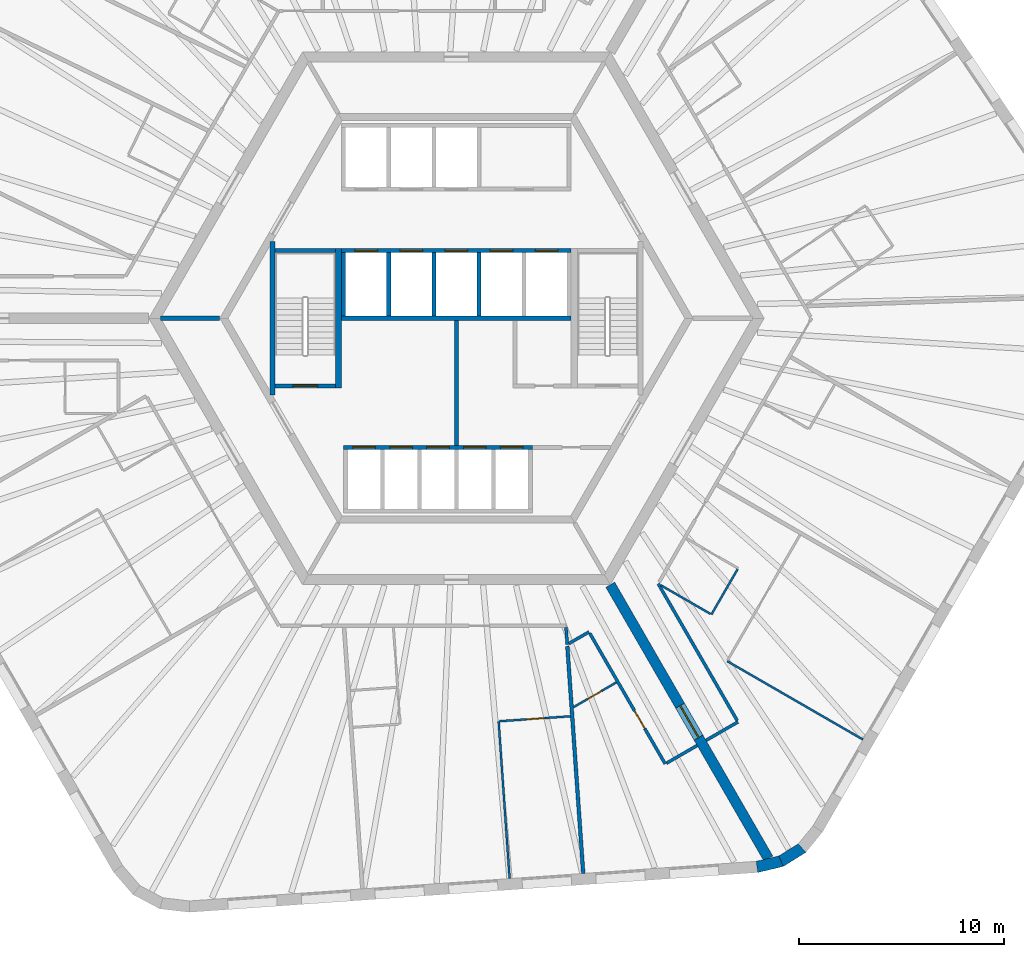
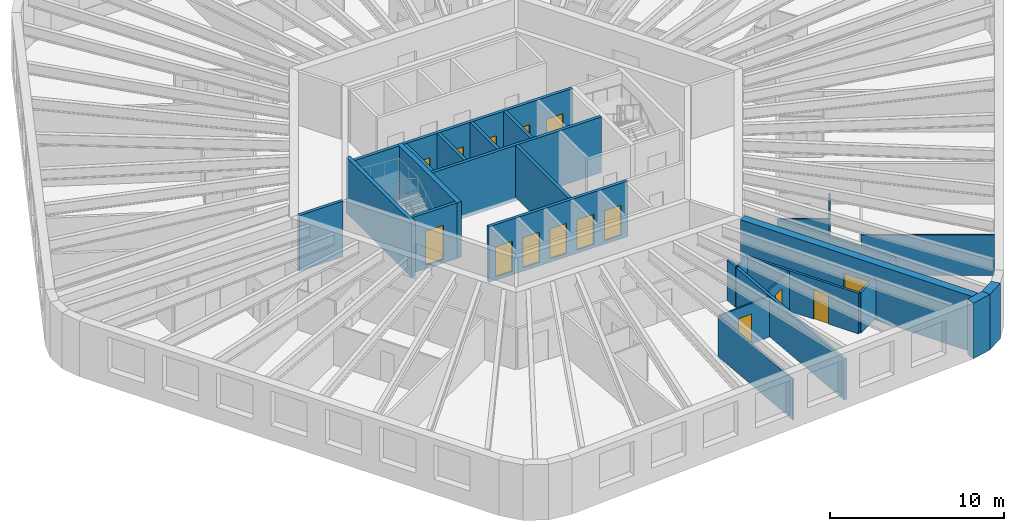
# One storey, part 4 of 10: 29 walls, 15 doors, 15 openings.
"""IFC4 building model written with IfcOpenShell, lengths in metres."""

from ifc_helpers import new_model, si_unit, direction, frame, frame_2d, origin, place, context, subcontext, project, spatial, polyline, rectangle, outline, extrude, material, layer, layer_set, type_object, element, fill, save


model = new_model("IFC4")

# Units and contexts
model_context = context("Model", 3, precision=1e-05, world=origin(), true_north=direction((0.0, 1.0)))
body_context = subcontext(model_context, "Body", "Model", "MODEL_VIEW")
ifc_project = project(units=[si_unit("LENGTHUNIT", "METRE"), si_unit("AREAUNIT", "SQUARE_METRE"), si_unit("VOLUMEUNIT", "CUBIC_METRE"), si_unit("PLANEANGLEUNIT", "RADIAN"), si_unit("MASSUNIT", "GRAM", prefix="KILO")], contexts=[model_context])

# Site, building, storey
site_placement = place(None, origin())
site = spatial("IfcSite", under=ifc_project, at=site_placement, CompositionType="ELEMENT")
building_placement = place(site_placement, origin())
building = spatial("IfcBuilding", under=site, at=building_placement, Name="Tarnside Tower", CompositionType="ELEMENT")
storey_placement = place(building_placement, frame((0.0, 0.0, 242.39990234375)))
storey = spatial("IfcBuildingStorey", under=building, at=storey_placement, Name="L58", CompositionType="ELEMENT", Elevation=242.39990234375)

# Wall, opening, door
ifc_material_1 = material(Name="Gypsum board partition on steel studs", Category="steel")
ifc_layer_1 = layer(ifc_material_1, 0.10009765625)
ifc_layer_set_1 = layer_set([ifc_layer_1], Name="Bathroom wall 100")
wall_type_1 = type_object("IfcWallType", Name="Bathroom wall 100", PredefinedType="PARTITIONING", material=ifc_layer_set_1)
wall_1_placement = place(storey_placement, frame((7.80322265625, -17.765380859375, 0.0), z_axis=(0.0, 0.0, 1.0), x_axis=(-0.865997239347, -0.500048779063, 0.0)))
wall_1 = element("IfcWall", 1, at=wall_1_placement, inside=storey, type_object=wall_type_1, Name="Bathroom wall 19097", PredefinedType="PARTITIONING", context=body_context, shape_type="SweptSolid", body=[
    extrude(rectangle(XDim=2.417724609375, YDim=0.10009765625, at=frame_2d((1.208984375, 0.0))), origin(), (0.0, 0.0, 1.0), 2.837890625),
])
opening_1_placement = place(wall_1_placement, frame((0.824951171875, 0.0, 0.0)))
opening_1 = element("IfcOpeningElement", 2, at=opening_1_placement, cuts=wall_1, Name="Opening D-B1", PredefinedType="OPENING", context=body_context, shape_type="SweptSolid", body=[
    extrude(rectangle(XDim=0.800048828125, YDim=2.10009765625, at=frame_2d((0.39990234375, 1.050048828125))), frame((0.0, 0.06005859375, 0.0), z_axis=(0.0, -1.0, 0.0), x_axis=(1.0, 0.0, 0.0)), (0.0, 0.0, 1.0), 0.1201171875),
])
ifc_material_2 = material(Name="Timber door leaf", Category="wood")
door_type_1 = type_object("IfcDoorType", Name="Bathroom door 800", OperationType="NOTDEFINED", PredefinedType="DOOR", material=ifc_material_2)
door_1_placement = place(opening_1_placement, origin())
door_1 = element("IfcDoor", 3, at=door_1_placement, inside=storey, type_object=door_type_1, Name="Bathroom door 19025", OperationType="SINGLE_SWING_LEFT", OverallHeight=2.10009765625, OverallWidth=0.800048828125, PredefinedType="DOOR", context=body_context, shape_type="SweptSolid", body=[
    extrude(rectangle(XDim=0.800048828125, YDim=2.10009765625, at=frame_2d((0.39990234375, 1.050048828125))), frame((0.0, 0.02490234375, 0.0), z_axis=(0.0, -1.0, 0.0), x_axis=(1.0, 0.0, 0.0)), (0.0, 0.0, 1.0), 0.050048828125),
])
fill(opening_1, door_1)

# Walls
wall_2_placement = place(storey_placement, frame((13.716796875, -12.24169921875, 0.0), z_axis=(0.0, 0.0, 1.0), x_axis=(-0.499990435942, -0.866030925526, 0.0)))
element("IfcWall", 4, at=wall_2_placement, inside=storey, type_object=wall_type_1, Name="Bathroom wall 19099", PredefinedType="PARTITIONING", context=body_context, shape_type="SweptSolid", body=[
    extrude(rectangle(XDim=2.5498046875, YDim=0.10009765625, at=frame_2d((1.27490234375, 0.0))), origin(), (0.0, 0.0, 1.0), 2.837890625),
])
wall_3_placement = place(storey_placement, frame((12.398681640625, -14.425048828125, 0.0), z_axis=(0.0, 0.0, 1.0), x_axis=(-0.866018616679, 0.500011755427, 0.0)))
element("IfcWall", 5, at=wall_3_placement, inside=storey, type_object=wall_type_1, Name="Bathroom wall 19100", PredefinedType="PARTITIONING", context=body_context, shape_type="SweptSolid", body=[
    extrude(rectangle(XDim=2.80029296875, YDim=0.10009765625, at=frame_2d((1.400146484375, 0.0))), origin(), (0.0, 0.0, 1.0), 2.837890625),
])
ifc_material_3 = material(Name="Concrete C40/50", Category="concrete")
ifc_layer_2 = layer(ifc_material_3, 0.199951171875)
ifc_layer_set_2 = layer_set([ifc_layer_2], Name="Core room partition 200 C40/50")
wall_type_2 = type_object("IfcWallType", Name="Core room partition 200 C40/50", PredefinedType="PARTITIONING", material=ifc_layer_set_2)
wall_4_placement = place(storey_placement, frame((0.0, -6.199951171875, 0.0), z_axis=(0.0, 0.0, 1.0), x_axis=(0.0, 1.0, 0.0)))
element("IfcWall", 6, at=wall_4_placement, inside=storey, type_object=wall_type_2, Name="L58 core partition X0", PredefinedType="PARTITIONING", context=body_context, shape_type="SweptSolid", body=[
    extrude(rectangle(XDim=6.099853515625, YDim=0.199951171875, at=frame_2d((3.0498046875, 0.0))), origin(), (0.0, 0.0, 1.0), 3.650146484375),
])

# Wall, opening, door
ifc_material_4 = material(Name="Concrete C70/85", Category="concrete")
ifc_layer_3 = layer(ifc_material_4, 0.5)
ifc_layer_set_3 = layer_set([ifc_layer_3], Name="Core wall Z2 500 C70/85")
wall_type_3 = type_object("IfcWallType", Name="Core wall Z2 500 C70/85", PredefinedType="SHEAR", material=ifc_layer_set_3)
wall_5_placement = place(storey_placement, frame((7.505615234375, -13.0, -0.14990234375), z_axis=(0.0, 0.0, 1.0), x_axis=(0.499988271576, -0.866032175087, 0.0)))
wall_5 = element("IfcWall", 7, at=wall_5_placement, inside=storey, type_object=wall_type_3, Name="L58 spine wall 3", PredefinedType="SHEAR", context=body_context, shape_type="SweptSolid", body=[
    extrude(rectangle(XDim=15.423583984375, YDim=0.5, at=frame_2d((7.7119140625, 0.0))), origin(), (0.0, 0.0, 1.0), 3.89990234375),
])
opening_2_placement = place(wall_5_placement, frame((6.811767578125, 0.0, 0.14990234375)))
opening_2 = element("IfcOpeningElement", 8, at=opening_2_placement, cuts=wall_5, Name="Opening CD-SPN", PredefinedType="OPENING", context=body_context, shape_type="SweptSolid", body=[
    extrude(rectangle(XDim=1.800048828125, YDim=2.39990234375, at=frame_2d((0.89990234375, 1.199951171875))), frame((0.0, 0.260009765625, 0.0), z_axis=(0.0, -1.0, 0.0), x_axis=(1.0, 0.0, 0.0)), (0.0, 0.0, 1.0), 0.52001953125),
])
ifc_material_5 = material(Name="Steel fire door", Category="steel")
door_type_2 = type_object("IfcDoorType", Name="Spine passage double door FD60 1800x2400", OperationType="NOTDEFINED", PredefinedType="DOOR", material=ifc_material_5)
door_2_placement = place(opening_2_placement, origin())
door_2 = element("IfcDoor", 9, at=door_2_placement, inside=storey, type_object=door_type_2, Name="L58 spine passage door 3", OperationType="DOUBLE_DOOR_SINGLE_SWING", OverallHeight=2.39990234375, OverallWidth=1.800048828125, PredefinedType="DOOR", context=body_context, shape_type="SweptSolid", body=[
    extrude(rectangle(XDim=1.800048828125, YDim=2.39990234375, at=frame_2d((0.89990234375, 1.199951171875))), frame((0.0, 0.02490234375, 0.0), z_axis=(0.0, -1.0, 0.0), x_axis=(1.0, 0.0, 0.0)), (0.0, 0.0, 1.0), 0.050048828125),
])
fill(opening_2, door_2)

# Wall
ifc_layer_4 = layer(ifc_material_1, 0.14990234375)
ifc_layer_set_4 = layer_set([ifc_layer_4], Name="Corridor wall 150 EI 60")
wall_type_4 = type_object("IfcWallType", Name="Corridor wall 150 EI 60", PredefinedType="PARTITIONING", material=ifc_layer_set_4)
wall_6_placement = place(storey_placement, frame((5.3466796875, -15.074951171875, 0.0), z_axis=(0.0, 0.0, 1.0), x_axis=(0.069731635013, -0.997565786842, 0.0)))
element("IfcWall", 10, at=wall_6_placement, inside=storey, type_object=wall_type_4, Name="Corridor wall 19028", PredefinedType="PARTITIONING", context=body_context, shape_type="SweptSolid", body=[
    extrude(rectangle(XDim=0.84716796875, YDim=0.14990234375, at=frame_2d((0.423583984375, 0.0))), origin(), (0.0, 0.0, 1.0), 2.837890625),
])

# Wall, opening, door
wall_7_placement = place(storey_placement, frame((6.505615234375, -15.3681640625, 0.0), z_axis=(0.0, 0.0, 1.0), x_axis=(0.499995202058, -0.86602817386, 0.0)))
wall_7 = element("IfcWall", 11, at=wall_7_placement, inside=storey, type_object=wall_type_4, Name="Corridor wall 19030", PredefinedType="PARTITIONING", context=body_context, shape_type="SweptSolid", body=[
    extrude(rectangle(XDim=7.36083984375, YDim=0.14990234375, at=frame_2d((3.680419921875, 0.0))), origin(), (0.0, 0.0, 1.0), 2.837890625),
])
opening_3_placement = place(wall_7_placement, frame((4.367919921875, 0.0, 0.0)))
opening_3 = element("IfcOpeningElement", 12, at=opening_3_placement, cuts=wall_7, Name="Opening D-E1", PredefinedType="OPENING", context=body_context, shape_type="SweptSolid", body=[
    extrude(rectangle(XDim=1.0, YDim=2.10009765625, at=frame_2d((0.5, 1.050048828125))), frame((0.0, 0.0849609375, 0.0), z_axis=(0.0, -1.0, 0.0), x_axis=(1.0, 0.0, 0.0)), (0.0, 0.0, 1.0), 0.169921875),
])
door_type_3 = type_object("IfcDoorType", Name="Unit entrance door 1000 FD30S", OperationType="NOTDEFINED", PredefinedType="DOOR", material=ifc_material_2)
door_3_placement = place(opening_3_placement, origin())
door_3 = element("IfcDoor", 13, at=door_3_placement, inside=storey, type_object=door_type_3, Name="Unit door 19024", OperationType="SINGLE_SWING_RIGHT", OverallHeight=2.10009765625, OverallWidth=1.0, PredefinedType="DOOR", context=body_context, shape_type="SweptSolid", body=[
    extrude(rectangle(XDim=1.0, YDim=2.10009765625, at=frame_2d((0.5, 1.050048828125))), frame((0.0, 0.02490234375, 0.0), z_axis=(0.0, -1.0, 0.0), x_axis=(1.0, 0.0, 0.0)), (0.0, 0.0, 1.0), 0.050048828125),
])
fill(opening_3, door_3)

# Walls
wall_8_placement = place(storey_placement, frame((10.2509765625, -21.705322265625, 0.0), z_axis=(0.0, 0.0, 1.0), x_axis=(0.866013532718, 0.500020560727, 0.0)))
element("IfcWall", 14, at=wall_8_placement, inside=storey, type_object=wall_type_4, Name="Corridor wall 19031", PredefinedType="PARTITIONING", context=body_context, shape_type="SweptSolid", body=[
    extrude(rectangle(XDim=1.72509765625, YDim=0.14990234375, at=frame_2d((0.862548828125, 0.0))), origin(), (0.0, 0.0, 1.0), 2.837890625),
])
wall_9_placement = place(storey_placement, frame((5.477783203125, -15.875, 0.0), z_axis=(0.0, 0.0, 1.0), x_axis=(0.866000689289, 0.500042804318, 0.0)))
element("IfcWall", 15, at=wall_9_placement, inside=storey, type_object=wall_type_4, Name="Corridor wall 19032", PredefinedType="PARTITIONING", context=body_context, shape_type="SweptSolid", body=[
    extrude(rectangle(XDim=1.1435546875, YDim=0.14990234375, at=frame_2d((0.57177734375, 0.0))), origin(), (0.0, 0.0, 1.0), 2.837890625),
])
wall_10_placement = place(storey_placement, frame((12.177978515625, -20.5927734375, 0.0), z_axis=(0.0, 0.0, 1.0), x_axis=(0.866047807691, 0.499961193289, 0.0)))
element("IfcWall", 16, at=wall_10_placement, inside=storey, type_object=wall_type_4, Name="Corridor wall 19034", PredefinedType="PARTITIONING", context=body_context, shape_type="SweptSolid", body=[
    extrude(rectangle(XDim=1.800048828125, YDim=0.14990234375, at=frame_2d((0.89990234375, 0.0))), origin(), (0.0, 0.0, 1.0), 2.837890625),
])
wall_11_placement = place(storey_placement, frame((13.69921875, -19.6279296875, 0.0), z_axis=(0.0, 0.0, 1.0), x_axis=(-0.499993780622, 0.866028994514, 0.0)))
element("IfcWall", 17, at=wall_11_placement, inside=storey, type_object=wall_type_4, Name="Corridor wall 19035", PredefinedType="PARTITIONING", context=body_context, shape_type="SweptSolid", body=[
    extrude(rectangle(XDim=7.7109375, YDim=0.14990234375, at=frame_2d((3.85546875, 0.0))), origin(), (0.0, 0.0, 1.0), 2.837890625),
])
ifc_layer_5 = layer(ifc_material_1, 0.179931640625)
ifc_layer_set_5 = layer_set([ifc_layer_5], Name="Demising wall 180 EI 60")
wall_type_5 = type_object("IfcWallType", Name="Demising wall 180 EI 60", PredefinedType="PARTITIONING", material=ifc_layer_set_5)
wall_12_placement = place(storey_placement, frame((6.186279296875, -27.08447265625, 0.0), z_axis=(0.0, 0.0, 1.0), x_axis=(-0.069737079037, 0.99756540628, 0.0)))
element("IfcWall", 18, at=wall_12_placement, inside=storey, type_object=wall_type_5, Name="Demising wall 19093", PredefinedType="PARTITIONING", context=body_context, shape_type="SweptSolid", body=[
    extrude(rectangle(XDim=11.11181640625, YDim=0.179931640625, at=frame_2d((5.555908203125, 0.0))), origin(), (0.0, 0.0, 1.0), 2.837890625),
])

# Wall, openings, doors
ifc_layer_6 = layer(ifc_material_3, 0.199951171875)
ifc_layer_set_6 = layer_set([ifc_layer_6], Name="Lift shaft wall 200 C40/50")
wall_type_6 = type_object("IfcWallType", Name="Lift shaft wall 200 C40/50", PredefinedType="SHEAR", material=ifc_layer_set_6)
wall_13_placement = place(storey_placement, frame((-5.60009765625, 3.300048828125, -0.25), z_axis=(0.0, 0.0, 1.0), x_axis=(1.0, 0.0, 0.0)))
wall_13 = element("IfcWall", 19, at=wall_13_placement, inside=storey, type_object=wall_type_6, Name="L58 lift shaft front wall R2", PredefinedType="SHEAR", context=body_context, shape_type="SweptSolid", body=[
    extrude(rectangle(XDim=11.2001953125, YDim=0.199951171875, at=frame_2d((5.60009765625, 0.0))), origin(), (0.0, 0.0, 1.0), 3.900146484375),
])
opening_4_placement = place(wall_13_placement, frame((0.64990234375, 0.0, 0.25)))
opening_4 = element("IfcOpeningElement", 20, at=opening_4_placement, cuts=wall_13, Name="Opening LD", PredefinedType="OPENING", context=body_context, shape_type="SweptSolid", body=[
    extrude(rectangle(XDim=1.10009765625, YDim=2.10009765625, at=frame_2d((0.550048828125, 1.050048828125))), frame((0.0, 0.10986328125, 0.0), z_axis=(0.0, -1.0, 0.0), x_axis=(1.0, 0.0, 0.0)), (0.0, 0.0, 1.0), 0.219970703125),
])
opening_5_placement = place(wall_13_placement, frame((2.85009765625, 0.0, 0.25)))
opening_5 = element("IfcOpeningElement", 21, at=opening_5_placement, cuts=wall_13, Name="Opening LD", PredefinedType="OPENING", context=body_context, shape_type="SweptSolid", body=[
    extrude(rectangle(XDim=1.10009765625, YDim=2.10009765625, at=frame_2d((0.550048828125, 1.050048828125))), frame((0.0, 0.10986328125, 0.0), z_axis=(0.0, -1.0, 0.0), x_axis=(1.0, 0.0, 0.0)), (0.0, 0.0, 1.0), 0.219970703125),
])
opening_6_placement = place(wall_13_placement, frame((5.050048828125, 0.0, 0.25)))
opening_6 = element("IfcOpeningElement", 22, at=opening_6_placement, cuts=wall_13, Name="Opening LD", PredefinedType="OPENING", context=body_context, shape_type="SweptSolid", body=[
    extrude(rectangle(XDim=1.10009765625, YDim=2.10009765625, at=frame_2d((0.550048828125, 1.050048828125))), frame((0.0, 0.10986328125, 0.0), z_axis=(0.0, -1.0, 0.0), x_axis=(1.0, 0.0, 0.0)), (0.0, 0.0, 1.0), 0.219970703125),
])
opening_7_placement = place(wall_13_placement, frame((7.25, 0.0, 0.25)))
opening_7 = element("IfcOpeningElement", 23, at=opening_7_placement, cuts=wall_13, Name="Opening LD", PredefinedType="OPENING", context=body_context, shape_type="SweptSolid", body=[
    extrude(rectangle(XDim=1.10009765625, YDim=2.10009765625, at=frame_2d((0.550048828125, 1.050048828125))), frame((0.0, 0.10986328125, 0.0), z_axis=(0.0, -1.0, 0.0), x_axis=(1.0, 0.0, 0.0)), (0.0, 0.0, 1.0), 0.219970703125),
])
opening_8_placement = place(wall_13_placement, frame((9.449951171875, 0.0, 0.25)))
opening_8 = element("IfcOpeningElement", 24, at=opening_8_placement, cuts=wall_13, Name="Opening LD", PredefinedType="OPENING", context=body_context, shape_type="SweptSolid", body=[
    extrude(rectangle(XDim=1.10009765625, YDim=2.10009765625, at=frame_2d((0.550048828125, 1.050048828125))), frame((0.0, 0.10986328125, 0.0), z_axis=(0.0, -1.0, 0.0), x_axis=(1.0, 0.0, 0.0)), (0.0, 0.0, 1.0), 0.219970703125),
])
ifc_material_6 = material(Name="Stainless steel", Category="steel")
door_type_4 = type_object("IfcDoorType", Name="Lift landing door 1100x2100", OperationType="NOTDEFINED", PredefinedType="DOOR", material=ifc_material_6)
door_4_placement = place(opening_4_placement, origin())
door_4 = element("IfcDoor", 25, at=door_4_placement, inside=storey, type_object=door_type_4, Name="Mid-rise lift 4 landing door L58", OperationType="SLIDING_TO_LEFT", OverallHeight=2.10009765625, OverallWidth=1.10009765625, PredefinedType="DOOR", context=body_context, shape_type="SweptSolid", body=[
    extrude(rectangle(XDim=1.10009765625, YDim=2.10009765625, at=frame_2d((0.550048828125, 1.050048828125))), frame((0.0, 0.02490234375, 0.0), z_axis=(0.0, -1.0, 0.0), x_axis=(1.0, 0.0, 0.0)), (0.0, 0.0, 1.0), 0.050048828125),
])
fill(opening_4, door_4)
door_5_placement = place(opening_5_placement, origin())
door_5 = element("IfcDoor", 26, at=door_5_placement, inside=storey, type_object=door_type_4, Name="Mid-rise lift 5 landing door L58", OperationType="SLIDING_TO_LEFT", OverallHeight=2.10009765625, OverallWidth=1.10009765625, PredefinedType="DOOR", context=body_context, shape_type="SweptSolid", body=[
    extrude(rectangle(XDim=1.10009765625, YDim=2.10009765625, at=frame_2d((0.550048828125, 1.050048828125))), frame((0.0, 0.02490234375, 0.0), z_axis=(0.0, -1.0, 0.0), x_axis=(1.0, 0.0, 0.0)), (0.0, 0.0, 1.0), 0.050048828125),
])
fill(opening_5, door_5)
door_6_placement = place(opening_6_placement, origin())
door_6 = element("IfcDoor", 27, at=door_6_placement, inside=storey, type_object=door_type_4, Name="Mid-rise lift 6 landing door L58", OperationType="SLIDING_TO_LEFT", OverallHeight=2.10009765625, OverallWidth=1.10009765625, PredefinedType="DOOR", context=body_context, shape_type="SweptSolid", body=[
    extrude(rectangle(XDim=1.10009765625, YDim=2.10009765625, at=frame_2d((0.550048828125, 1.050048828125))), frame((0.0, 0.02490234375, 0.0), z_axis=(0.0, -1.0, 0.0), x_axis=(1.0, 0.0, 0.0)), (0.0, 0.0, 1.0), 0.050048828125),
])
fill(opening_6, door_6)
door_7_placement = place(opening_7_placement, origin())
door_7 = element("IfcDoor", 28, at=door_7_placement, inside=storey, type_object=door_type_4, Name="High sky-lobby shuttle 1 landing door L58", OperationType="SLIDING_TO_LEFT", OverallHeight=2.10009765625, OverallWidth=1.10009765625, PredefinedType="DOOR", context=body_context, shape_type="SweptSolid", body=[
    extrude(rectangle(XDim=1.10009765625, YDim=2.10009765625, at=frame_2d((0.550048828125, 1.050048828125))), frame((0.0, 0.02490234375, 0.0), z_axis=(0.0, -1.0, 0.0), x_axis=(1.0, 0.0, 0.0)), (0.0, 0.0, 1.0), 0.050048828125),
])
fill(opening_7, door_7)
door_8_placement = place(opening_8_placement, origin())
door_8 = element("IfcDoor", 29, at=door_8_placement, inside=storey, type_object=door_type_4, Name="Express sky-lobby shuttle 2 landing door L58", OperationType="SLIDING_TO_LEFT", OverallHeight=2.10009765625, OverallWidth=1.10009765625, PredefinedType="DOOR", context=body_context, shape_type="SweptSolid", body=[
    extrude(rectangle(XDim=1.10009765625, YDim=2.10009765625, at=frame_2d((0.550048828125, 1.050048828125))), frame((0.0, 0.02490234375, 0.0), z_axis=(0.0, -1.0, 0.0), x_axis=(1.0, 0.0, 0.0)), (0.0, 0.0, 1.0), 0.050048828125),
])
fill(opening_8, door_8)

# Walls
wall_14_placement = place(storey_placement, frame((-5.60009765625, 0.0, -0.25), z_axis=(0.0, 0.0, 1.0), x_axis=(1.0, 0.0, 0.0)))
element("IfcWall", 30, at=wall_14_placement, inside=storey, type_object=wall_type_6, Name="L58 lift shaft back wall R2", PredefinedType="SHEAR", context=body_context, shape_type="SweptSolid", body=[
    extrude(rectangle(XDim=11.2001953125, YDim=0.199951171875, at=frame_2d((5.60009765625, 0.0))), origin(), (0.0, 0.0, 1.0), 3.900146484375),
])
for number, where, z_axis, x_axis, name in (
    (31, (-5.5, 0.10009765625, -0.25), (0.0, 0.0, 1.0), (0.0, 1.0, 0.0), "L58 lift shaft partition R21"),
    (32, (-3.300048828125, 0.10009765625, -0.25), (0.0, 0.0, 1.0), (0.0, 1.0, 0.0), "L58 lift shaft partition R22"),
    (33, (-1.10009765625, 0.10009765625, -0.25), (0.0, 0.0, 1.0), (0.0, 1.0, 0.0), "L58 lift shaft partition R23"),
    (34, (1.10009765625, 0.10009765625, -0.25), (0.0, 0.0, 1.0), (0.0, 1.0, 0.0), "L58 lift shaft partition R24"),
):
    element("IfcWall", number, at=place(storey_placement, frame(where, z_axis=z_axis, x_axis=x_axis)), inside=storey, type_object=wall_type_6, Name=name, PredefinedType="SHEAR", context=body_context, shape_type="SweptSolid", body=[
        extrude(rectangle(XDim=3.099853515625, YDim=0.199951171875, at=frame_2d((1.5498046875, 0.0))), origin(), (0.0, 0.0, 1.0), 3.900146484375),
    ])

# Wall, openings, doors
wall_15_placement = place(storey_placement, frame((-5.5, -6.300048828125, -0.25), z_axis=(0.0, 0.0, 1.0), x_axis=(1.0, 0.0, 0.0)))
wall_15 = element("IfcWall", 35, at=wall_15_placement, inside=storey, type_object=wall_type_6, Name="L58 lift shaft front wall R4", PredefinedType="SHEAR", context=body_context, shape_type="SweptSolid", body=[
    extrude(rectangle(XDim=9.199951171875, YDim=0.199951171875, at=frame_2d((4.60009765625, 0.0))), origin(), (0.0, 0.0, 1.0), 3.900146484375),
])
opening_9_placement = place(wall_15_placement, frame((0.449951171875, 0.0, 0.25)))
opening_9 = element("IfcOpeningElement", 36, at=opening_9_placement, cuts=wall_15, Name="Opening LDF", PredefinedType="OPENING", context=body_context, shape_type="SweptSolid", body=[
    extrude(rectangle(XDim=1.10009765625, YDim=2.10009765625, at=frame_2d((0.550048828125, 1.050048828125))), frame((0.0, 0.10986328125, 0.0), z_axis=(0.0, -1.0, 0.0), x_axis=(1.0, 0.0, 0.0)), (0.0, 0.0, 1.0), 0.219970703125),
])
opening_10_placement = place(wall_15_placement, frame((2.25, 0.0, 0.25)))
opening_10 = element("IfcOpeningElement", 37, at=opening_10_placement, cuts=wall_15, Name="Opening LDF", PredefinedType="OPENING", context=body_context, shape_type="SweptSolid", body=[
    extrude(rectangle(XDim=1.10009765625, YDim=2.10009765625, at=frame_2d((0.550048828125, 1.050048828125))), frame((0.0, 0.10986328125, 0.0), z_axis=(0.0, -1.0, 0.0), x_axis=(1.0, 0.0, 0.0)), (0.0, 0.0, 1.0), 0.219970703125),
])
opening_11_placement = place(wall_15_placement, frame((4.050048828125, 0.0, 0.25)))
opening_11 = element("IfcOpeningElement", 38, at=opening_11_placement, cuts=wall_15, Name="Opening LDF", PredefinedType="OPENING", context=body_context, shape_type="SweptSolid", body=[
    extrude(rectangle(XDim=1.10009765625, YDim=2.10009765625, at=frame_2d((0.550048828125, 1.050048828125))), frame((0.0, 0.10986328125, 0.0), z_axis=(0.0, -1.0, 0.0), x_axis=(1.0, 0.0, 0.0)), (0.0, 0.0, 1.0), 0.219970703125),
])
opening_12_placement = place(wall_15_placement, frame((5.85009765625, 0.0, 0.25)))
opening_12 = element("IfcOpeningElement", 39, at=opening_12_placement, cuts=wall_15, Name="Opening LDF", PredefinedType="OPENING", context=body_context, shape_type="SweptSolid", body=[
    extrude(rectangle(XDim=1.10009765625, YDim=2.10009765625, at=frame_2d((0.550048828125, 1.050048828125))), frame((0.0, 0.10986328125, 0.0), z_axis=(0.0, -1.0, 0.0), x_axis=(1.0, 0.0, 0.0)), (0.0, 0.0, 1.0), 0.219970703125),
])
opening_13_placement = place(wall_15_placement, frame((7.64990234375, 0.0, 0.25)))
opening_13 = element("IfcOpeningElement", 40, at=opening_13_placement, cuts=wall_15, Name="Opening LDF", PredefinedType="OPENING", context=body_context, shape_type="SweptSolid", body=[
    extrude(rectangle(XDim=1.10009765625, YDim=2.10009765625, at=frame_2d((0.550048828125, 1.050048828125))), frame((0.0, 0.10986328125, 0.0), z_axis=(0.0, -1.0, 0.0), x_axis=(1.0, 0.0, 0.0)), (0.0, 0.0, 1.0), 0.219970703125),
])
door_type_5 = type_object("IfcDoorType", Name="Lift landing door 1100x2100 EI 120", OperationType="NOTDEFINED", PredefinedType="DOOR", material=ifc_material_6)
door_9_placement = place(opening_9_placement, origin())
door_9 = element("IfcDoor", 41, at=door_9_placement, inside=storey, type_object=door_type_5, Name="Firefighting lift 1 landing door L58", OperationType="SLIDING_TO_LEFT", OverallHeight=2.10009765625, OverallWidth=1.10009765625, PredefinedType="DOOR", context=body_context, shape_type="SweptSolid", body=[
    extrude(rectangle(XDim=1.10009765625, YDim=2.10009765625, at=frame_2d((0.550048828125, 1.050048828125))), frame((0.0, 0.02490234375, 0.0), z_axis=(0.0, -1.0, 0.0), x_axis=(1.0, 0.0, 0.0)), (0.0, 0.0, 1.0), 0.050048828125),
])
fill(opening_9, door_9)
door_10_placement = place(opening_10_placement, origin())
door_10 = element("IfcDoor", 42, at=door_10_placement, inside=storey, type_object=door_type_5, Name="Firefighting lift 2 landing door L58", OperationType="SLIDING_TO_LEFT", OverallHeight=2.10009765625, OverallWidth=1.10009765625, PredefinedType="DOOR", context=body_context, shape_type="SweptSolid", body=[
    extrude(rectangle(XDim=1.10009765625, YDim=2.10009765625, at=frame_2d((0.550048828125, 1.050048828125))), frame((0.0, 0.02490234375, 0.0), z_axis=(0.0, -1.0, 0.0), x_axis=(1.0, 0.0, 0.0)), (0.0, 0.0, 1.0), 0.050048828125),
])
fill(opening_10, door_10)
door_11_placement = place(opening_11_placement, origin())
door_11 = element("IfcDoor", 43, at=door_11_placement, inside=storey, type_object=door_type_5, Name="Firefighting lift 3 landing door L58", OperationType="SLIDING_TO_LEFT", OverallHeight=2.10009765625, OverallWidth=1.10009765625, PredefinedType="DOOR", context=body_context, shape_type="SweptSolid", body=[
    extrude(rectangle(XDim=1.10009765625, YDim=2.10009765625, at=frame_2d((0.550048828125, 1.050048828125))), frame((0.0, 0.02490234375, 0.0), z_axis=(0.0, -1.0, 0.0), x_axis=(1.0, 0.0, 0.0)), (0.0, 0.0, 1.0), 0.050048828125),
])
fill(opening_11, door_11)
door_12_placement = place(opening_12_placement, origin())
door_12 = element("IfcDoor", 44, at=door_12_placement, inside=storey, type_object=door_type_5, Name="Firefighting lift 4 landing door L58", OperationType="SLIDING_TO_LEFT", OverallHeight=2.10009765625, OverallWidth=1.10009765625, PredefinedType="DOOR", context=body_context, shape_type="SweptSolid", body=[
    extrude(rectangle(XDim=1.10009765625, YDim=2.10009765625, at=frame_2d((0.550048828125, 1.050048828125))), frame((0.0, 0.02490234375, 0.0), z_axis=(0.0, -1.0, 0.0), x_axis=(1.0, 0.0, 0.0)), (0.0, 0.0, 1.0), 0.050048828125),
])
fill(opening_12, door_12)
door_13_placement = place(opening_13_placement, origin())
door_13 = element("IfcDoor", 45, at=door_13_placement, inside=storey, type_object=door_type_5, Name="Firefighting lift 5 landing door L58", OperationType="SLIDING_TO_LEFT", OverallHeight=2.10009765625, OverallWidth=1.10009765625, PredefinedType="DOOR", context=body_context, shape_type="SweptSolid", body=[
    extrude(rectangle(XDim=1.10009765625, YDim=2.10009765625, at=frame_2d((0.550048828125, 1.050048828125))), frame((0.0, 0.02490234375, 0.0), z_axis=(0.0, -1.0, 0.0), x_axis=(1.0, 0.0, 0.0)), (0.0, 0.0, 1.0), 0.050048828125),
])
fill(opening_13, door_13)

# Walls
wall_16_placement = place(storey_placement, frame((-11.547119140625, 0.0, -0.14990234375), z_axis=(0.0, 0.0, 1.0), x_axis=(-1.0, 0.0, 0.0)))
element("IfcWall", 46, at=wall_16_placement, inside=storey, type_object=wall_type_6, Name="L58 core partition AR180", PredefinedType="SHEAR", context=body_context, shape_type="SweptSolid", body=[
    extrude(rectangle(XDim=2.88671875, YDim=0.199951171875, at=frame_2d((1.443359375, 0.0))), origin(), (0.0, 0.0, 1.0), 3.89990234375),
])
wall_17_placement = place(storey_placement, frame((-8.85009765625, 3.300048828125, -0.25), z_axis=(0.0, 0.0, 1.0), x_axis=(1.0, 0.0, 0.0)))
element("IfcWall", 47, at=wall_17_placement, inside=storey, type_object=wall_type_6, Name="L58 stair 2 enclosure cap wall n", PredefinedType="SHEAR", context=body_context, shape_type="SweptSolid", body=[
    extrude(rectangle(XDim=2.9501953125, YDim=0.199951171875, at=frame_2d((1.47509765625, 0.0))), origin(), (0.0, 0.0, 1.0), 3.900146484375),
])

# Wall, opening, door
wall_18_placement = place(storey_placement, frame((-8.85009765625, -3.300048828125, -0.25), z_axis=(0.0, 0.0, 1.0), x_axis=(1.0, 0.0, 0.0)))
wall_18 = element("IfcWall", 48, at=wall_18_placement, inside=storey, type_object=wall_type_6, Name="L58 stair 2 enclosure cap wall s", PredefinedType="SHEAR", context=body_context, shape_type="SweptSolid", body=[
    extrude(rectangle(XDim=2.9501953125, YDim=0.199951171875, at=frame_2d((1.47509765625, 0.0))), origin(), (0.0, 0.0, 1.0), 3.900146484375),
])
opening_14_placement = place(wall_18_placement, frame((0.875, 0.0, 0.25)))
opening_14 = element("IfcOpeningElement", 49, at=opening_14_placement, cuts=wall_18, Name="Opening CD-STR", PredefinedType="OPENING", context=body_context, shape_type="SweptSolid", body=[
    extrude(rectangle(XDim=1.199951171875, YDim=2.39990234375, at=frame_2d((0.60009765625, 1.199951171875))), frame((0.0, 0.10986328125, 0.0), z_axis=(0.0, -1.0, 0.0), x_axis=(1.0, 0.0, 0.0)), (0.0, 0.0, 1.0), 0.219970703125),
])
door_type_6 = type_object("IfcDoorType", Name="Stair door FD60S 1200x2400", OperationType="NOTDEFINED", PredefinedType="DOOR", material=ifc_material_5)
door_14_placement = place(opening_14_placement, origin())
door_14 = element("IfcDoor", 50, at=door_14_placement, inside=storey, type_object=door_type_6, Name="L58 stair 2 door", OperationType="SINGLE_SWING_LEFT", OverallHeight=2.39990234375, OverallWidth=1.199951171875, PredefinedType="DOOR", context=body_context, shape_type="SweptSolid", body=[
    extrude(rectangle(XDim=1.199951171875, YDim=2.39990234375, at=frame_2d((0.60009765625, 1.199951171875))), frame((0.0, 0.02490234375, 0.0), z_axis=(0.0, -1.0, 0.0), x_axis=(1.0, 0.0, 0.0)), (0.0, 0.0, 1.0), 0.050048828125),
])
fill(opening_14, door_14)

# Wall
ifc_layer_7 = layer(ifc_material_1, 0.10009765625)
ifc_layer_set_7 = layer_set([ifc_layer_7], Name="Partition 100")
wall_type_7 = type_object("IfcWallType", Name="Partition 100", PredefinedType="PARTITIONING", material=ifc_layer_set_7)
wall_19_placement = place(storey_placement, frame((2.59521484375, -27.33544921875, 0.0), z_axis=(0.0, 0.0, 1.0), x_axis=(-0.069769427287, 0.997563144375, 0.0)))
element("IfcWall", 51, at=wall_19_placement, inside=storey, type_object=wall_type_7, Name="Partition wall 19091", PredefinedType="PARTITIONING", context=body_context, shape_type="SweptSolid", body=[
    extrude(rectangle(XDim=7.69140625, YDim=0.10009765625, at=frame_2d((3.845703125, 0.0))), origin(), (0.0, 0.0, 1.0), 2.837890625),
])

# Wall, opening, door
wall_20_placement = place(storey_placement, frame((2.108642578125, -19.6591796875, 0.0), z_axis=(0.0, 0.0, 1.0), x_axis=(0.997566776398, 0.069717477193, 0.0)))
wall_20 = element("IfcWall", 52, at=wall_20_placement, inside=storey, type_object=wall_type_7, Name="Partition wall 19092", PredefinedType="PARTITIONING", context=body_context, shape_type="SweptSolid", body=[
    extrude(rectangle(XDim=3.459716796875, YDim=0.10009765625, at=frame_2d((1.72998046875, 0.0))), origin(), (0.0, 0.0, 1.0), 2.837890625),
])
opening_15_placement = place(wall_20_placement, frame((1.300048828125, 0.0, 0.0)))
opening_15 = element("IfcOpeningElement", 53, at=opening_15_placement, cuts=wall_20, Name="Opening D-I1", PredefinedType="OPENING", context=body_context, shape_type="SweptSolid", body=[
    extrude(rectangle(XDim=0.89990234375, YDim=2.10009765625, at=frame_2d((0.449951171875, 1.050048828125))), frame((0.0, 0.06005859375, 0.0), z_axis=(0.0, -1.0, 0.0), x_axis=(1.0, 0.0, 0.0)), (0.0, 0.0, 1.0), 0.1201171875),
])
door_type_7 = type_object("IfcDoorType", Name="Internal door 900", OperationType="NOTDEFINED", PredefinedType="DOOR", material=ifc_material_2)
door_15_placement = place(opening_15_placement, origin())
door_15 = element("IfcDoor", 54, at=door_15_placement, inside=storey, type_object=door_type_7, Name="Internal door 19023", OperationType="SINGLE_SWING_LEFT", OverallHeight=2.10009765625, OverallWidth=0.89990234375, PredefinedType="DOOR", context=body_context, shape_type="SweptSolid", body=[
    extrude(rectangle(XDim=0.89990234375, YDim=2.10009765625, at=frame_2d((0.449951171875, 1.050048828125))), frame((0.0, 0.02490234375, 0.0), z_axis=(0.0, -1.0, 0.0), x_axis=(1.0, 0.0, 0.0)), (0.0, 0.0, 1.0), 0.050048828125),
])
fill(opening_15, door_15)

# Walls
wall_21_placement = place(storey_placement, frame((19.831298828125, -20.551025390625, 0.0), z_axis=(0.0, 0.0, 1.0), x_axis=(-0.866025084624, 0.500000552801, 0.0)))
element("IfcWall", 55, at=wall_21_placement, inside=storey, type_object=wall_type_7, Name="Partition wall 19101", PredefinedType="PARTITIONING", context=body_context, shape_type="SweptSolid", body=[
    extrude(rectangle(XDim=7.64990234375, YDim=0.10009765625, at=frame_2d((3.824951171875, 0.0))), origin(), (0.0, 0.0, 1.0), 2.837890625),
])
ifc_layer_8 = layer(ifc_material_3, 0.25)
ifc_layer_set_8 = layer_set([ifc_layer_8], Name="Stair enclosure wall 250 C40/50")
wall_type_8 = type_object("IfcWallType", Name="Stair enclosure wall 250 C40/50", PredefinedType="SHEAR", material=ifc_layer_set_8)
wall_22_placement = place(storey_placement, frame((-8.97509765625, -3.7548828125, -0.25), z_axis=(0.0, 0.0, 1.0), x_axis=(0.0, 1.0, 0.0)))
element("IfcWall", 56, at=wall_22_placement, inside=storey, type_object=wall_type_8, Name="L58 stair 2 enclosure wall outer", PredefinedType="SHEAR", context=body_context, shape_type="SweptSolid", body=[
    extrude(rectangle(XDim=7.509765625, YDim=0.25, at=frame_2d((3.7548828125, 0.0))), origin(), (0.0, 0.0, 1.0), 3.900146484375),
])
ifc_layer_9 = layer(ifc_material_3, 0.300048828125)
ifc_layer_set_9 = layer_set([ifc_layer_9], Name="Stair enclosure wall 300 C40/50")
wall_type_9 = type_object("IfcWallType", Name="Stair enclosure wall 300 C40/50", PredefinedType="SHEAR", material=ifc_layer_set_9)
wall_23_placement = place(storey_placement, frame((-5.75, -3.39990234375, -0.25), z_axis=(0.0, 0.0, 1.0), x_axis=(0.0, 1.0, 0.0)))
element("IfcWall", 57, at=wall_23_placement, inside=storey, type_object=wall_type_9, Name="L58 stair 2 enclosure wall inner", PredefinedType="SHEAR", context=body_context, shape_type="SweptSolid", body=[
    extrude(rectangle(XDim=6.7998046875, YDim=0.300048828125, at=frame_2d((3.39990234375, 0.0))), origin(), (0.0, 0.0, 1.0), 3.900146484375),
])
ifc_material_7 = material(Name="Facing brick", Category="masonry")
ifc_layer_10 = layer(ifc_material_7, 0.10205078125)
ifc_material_8 = material(Name="Concrete C60/75 precast", Category="concrete")
ifc_layer_11 = layer(ifc_material_8, 0.347900390625)
ifc_material_9 = material(Name="Mineral wool insulation")
ifc_layer_12 = layer(ifc_material_9, 0.10009765625)
ifc_layer_set_10 = layer_set([ifc_layer_10, ifc_layer_11, ifc_layer_12], Name="Tube wall 550 brick faced")
wall_type_10 = type_object("IfcWallType", Name="Tube wall 550 brick faced", PredefinedType="SOLIDWALL", material=ifc_layer_set_10)
wall_24_placement = place(storey_placement, frame((14.663818359375, -26.767333984375, -0.14990234375), z_axis=(0.0, 0.0, 1.0), x_axis=(0.973063591128, 0.230536868247, 0.0)))
element("IfcWall", 58, at=wall_24_placement, inside=storey, type_object=wall_type_10, Name="Tube wall L58 F4 chord 13", PredefinedType="SOLIDWALL", context=body_context, shape_type="SweptSolid", body=[
    extrude(outline(polyline([(-0.0224609375, -0.27490234375), (1.25341796875, -0.27490234375), (1.1630859375, 0.27490234375), (0.0224609375, 0.27490234375), (-0.0224609375, -0.27490234375)])), origin(), (0.0, 0.0, 1.0), 3.89990234375),
])
wall_25_placement = place(storey_placement, frame((15.839599609375, -26.48876953125, -0.14990234375), z_axis=(0.0, 0.0, 1.0), x_axis=(0.848009655012, 0.52998077796, 0.0)))
element("IfcWall", 59, at=wall_25_placement, inside=storey, type_object=wall_type_10, Name="Tube wall L58 F4 chord 14", PredefinedType="SOLIDWALL", context=body_context, shape_type="SweptSolid", body=[
    extrude(outline(polyline([(-0.045166015625, -0.27490234375), (1.25341796875, -0.27490234375), (1.1630859375, 0.27490234375), (0.045166015625, 0.27490234375), (-0.045166015625, -0.27490234375)])), origin(), (0.0, 0.0, 1.0), 3.89990234375),
])

save(model, "model.ifc")
